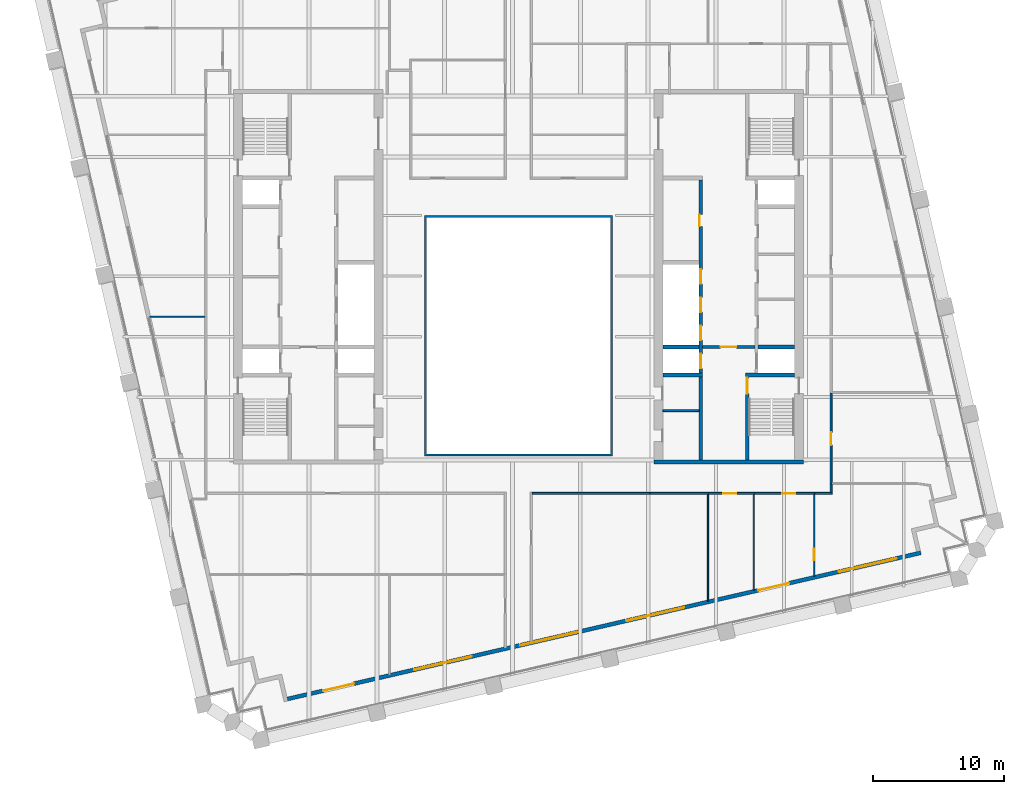
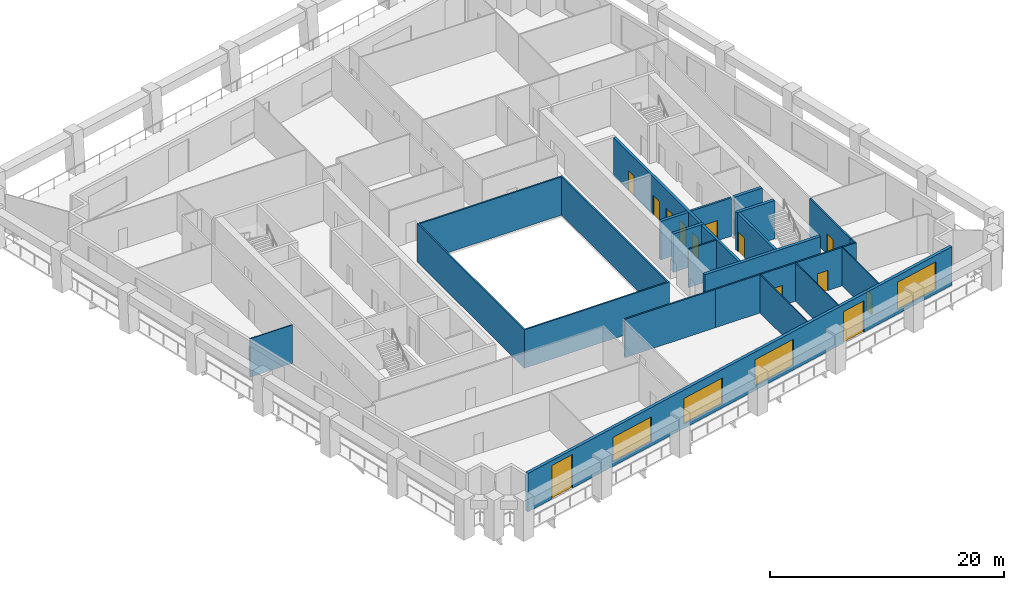
# One storey, part 5 of 11: 22 walls, 13 doors, 4 windows, 17 openings.
"""IFC4 building model written with IfcOpenShell, lengths in metres."""

import ifcopenshell
import ifcopenshell.guid

model = None  # the IFC model being written
_history = None  # IfcOwnerHistory: only IFC2X3 demands one
_inside = {}  # id of a spatial element -> (the spatial element, [elements in it])
_under = {}  # id of a project, library or spatial element -> (it, [spatial elements below it])
_declared = {}  # id of a project -> (the project, [libraries it declares])
_typed = {}  # id of a type object -> (the type object, [elements of that type])
_made_of = {}  # id of a material, layer set ... -> (it, [elements and type objects made of it])


def new_model(schema):
    """Start an empty IFC model of exactly this schema.

    Asked for "IFC4X3", IfcOpenShell would pick the latest addendum, in which some entities
    have other attributes; the version numbers below select the first issue.
    IFC2X3 requires an IfcOwnerHistory on every rooted entity: one is made here for all.
    """
    global model, _history
    if schema == "IFC4X3":
        model = ifcopenshell.file(schema_version=(4, 3, 0, 0))
    else:
        model = ifcopenshell.file(schema=schema)
    _inside.clear()
    _under.clear()
    _declared.clear()
    _typed.clear()
    _made_of.clear()
    _history = None
    if model.schema == "IFC2X3":
        org = make("IfcOrganization", Name="unknown")
        user = make(
            "IfcPersonAndOrganization",
            ThePerson=make("IfcPerson", FamilyName="unknown"),
            TheOrganization=org,
        )
        app = make(
            "IfcApplication",
            ApplicationDeveloper=org,
            Version="unknown",
            ApplicationFullName="unknown",
            ApplicationIdentifier="unknown",
        )
        _history = make(
            "IfcOwnerHistory",
            OwningUser=user,
            OwningApplication=app,
            ChangeAction="ADDED",
            CreationDate=0,
        )
    return model


def make(cls, **values):
    """One entity of the class cls with the attributes given. An attribute that is None is left unset."""
    return model.create_entity(
        cls, **{name: value for name, value in values.items() if value is not None}
    )


def rooted(cls, **values):
    """An entity with a GlobalId (a new one), such as an element, a storey or a relation."""
    return make(cls, GlobalId=ifcopenshell.guid.new(), OwnerHistory=_history, **values)


def si_unit(unit_type, name, prefix=None):
    """IfcSIUnit, for example si_unit("LENGTHUNIT", "METRE", prefix="MILLI")."""
    return make("IfcSIUnit", UnitType=unit_type, Prefix=prefix, Name=name)


def assignment(units):
    """IfcUnitAssignment: the units of a project."""
    return None if units is None else make("IfcUnitAssignment", Units=units)


def point(xyz):
    """IfcCartesianPoint."""
    return None if xyz is None else make("IfcCartesianPoint", Coordinates=xyz)


def direction(xyz):
    """IfcDirection."""
    return None if xyz is None else make("IfcDirection", DirectionRatios=xyz)


def frame(location, z_axis=None, x_axis=None):
    """IfcAxis2Placement3D, a coordinate frame: its origin and axes. An axis left out is left unset."""
    return make(
        "IfcAxis2Placement3D",
        Location=point(location),
        Axis=direction(z_axis),
        RefDirection=direction(x_axis),
    )


def frame_2d(location, x_axis=None):
    """IfcAxis2Placement2D, a coordinate frame in the plane: its origin and x axis."""
    return make(
        "IfcAxis2Placement2D", Location=point(location), RefDirection=direction(x_axis)
    )


def origin():
    """The frame at (0, 0, 0) with its axes left unset."""
    return frame((0.0, 0.0, 0.0))


def place(relative_to, where):
    """IfcLocalPlacement: puts the frame where relative to a parent placement (None: the world)."""
    return make(
        "IfcLocalPlacement", PlacementRelTo=relative_to, RelativePlacement=where
    )


def context(
    kind, dimensions, precision=None, world=None, true_north=None, identifier=None
):
    """IfcGeometricRepresentationContext, for example the 3D "Model" context."""
    return make(
        "IfcGeometricRepresentationContext",
        ContextIdentifier=identifier,
        ContextType=kind,
        CoordinateSpaceDimension=dimensions,
        Precision=precision,
        WorldCoordinateSystem=world,
        TrueNorth=true_north,
    )


def subcontext(parent, identifier, kind, view, scale=None):
    """IfcGeometricRepresentationSubContext, for example "Body" below "Model"."""
    return make(
        "IfcGeometricRepresentationSubContext",
        ContextIdentifier=identifier,
        ContextType=kind,
        ParentContext=parent,
        TargetScale=scale,
        TargetView=view,
    )


def project(units=None, contexts=None):
    """IfcProject with its units and contexts."""
    return rooted(
        "IfcProject",
        Name="project",
        RepresentationContexts=contexts,
        UnitsInContext=assignment(units),
    )


def spatial(cls, under=None, at=None, **own):
    """A site, building, storey or space (cls), placed at a placement, below another one or the project."""
    s = rooted(cls, ObjectPlacement=at, **own)
    if under is not None:
        _under.setdefault(under.id(), (under, []))[1].append(s)
    return s


def polyline(points):
    """IfcPolyline through the points."""
    return make("IfcPolyline", Points=[point(p) for p in points])


def profile(cls, at=None, kind="AREA", **sizes):
    """A parametric profile (cls). Its sizes go by their IFC names, for example OverallWidth=200.0."""
    return make(cls, ProfileType=kind, Position=at, **sizes)


def rectangle(**sizes):
    """IfcRectangleProfileDef."""
    return profile("IfcRectangleProfileDef", **sizes)


def outline(outer, holes=None, kind="AREA"):
    """IfcArbitraryClosedProfileDef: a profile drawn as a closed curve; with holes, ...WithVoids."""
    if holes is None:
        return make("IfcArbitraryClosedProfileDef", ProfileType=kind, OuterCurve=outer)
    return make(
        "IfcArbitraryProfileDefWithVoids",
        ProfileType=kind,
        OuterCurve=outer,
        InnerCurves=holes,
    )


def extrude(swept, where, along, depth):
    """IfcExtrudedAreaSolid: the profile swept, set in the frame where, extruded along a direction by depth."""
    return make(
        "IfcExtrudedAreaSolid",
        SweptArea=swept,
        Position=where,
        ExtrudedDirection=direction(along),
        Depth=depth,
    )


def shape(context_of_items, identifier, shape_type, items):
    """IfcShapeRepresentation: the items that make up one representation, for example the "Body"."""
    return make(
        "IfcShapeRepresentation",
        ContextOfItems=context_of_items,
        RepresentationIdentifier=identifier,
        RepresentationType=shape_type,
        Items=items,
    )


def material(Name=None, Category=None):
    """IfcMaterial."""
    return make("IfcMaterial", Name=Name, Category=Category)


def layer(
    of_material, thickness, ventilated=None, Name=None, Category=None, Priority=None
):
    """IfcMaterialLayer: one layer of a wall or slab, of a material (None: an air gap)."""
    return make(
        "IfcMaterialLayer",
        Material=of_material,
        LayerThickness=thickness,
        IsVentilated=ventilated,
        Name=Name,
        Category=Category,
        Priority=Priority,
    )


def layer_set(layers, Name=None):
    """IfcMaterialLayerSet."""
    return make("IfcMaterialLayerSet", MaterialLayers=layers, LayerSetName=Name)


def made_of(thing, what):
    """Note that an element or type object is made of a material, layer set ...; save() writes the relation."""
    if what is not None:
        _made_of.setdefault(what.id(), (what, []))[1].append(thing)
    return thing


def type_object(cls, material=None, **own):
    """A type object (cls), such as IfcWallType, which elements share."""
    return made_of(rooted(cls, **own), material)


def element(
    cls,
    number,
    at=None,
    inside=None,
    cuts=None,
    type_object=None,
    material=None,
    context=None,
    identifier="Body",
    shape_type=None,
    held_by="IfcProductDefinitionShape",
    body=None,
    shapes=None,
    **own,
):
    """One element of the class cls, such as IfcWall. Its Tag is "e" and its number.

    at: its placement. inside: the storey or other place that contains it. cuts: it is an
    opening in that element (IfcRelVoidsElement). A single representation is given by context,
    identifier, shape_type and body (its items); several are given by shapes. held_by: the class
    of the entity that holds the representations. save() writes the other relations.
    """
    e = rooted(cls, Tag="e%d" % number, ObjectPlacement=at, **own)
    if body is not None:
        shapes = [shape(context, identifier, shape_type, body)]
    if shapes is not None:
        e.Representation = make(held_by, Representations=shapes)
    if inside is not None:
        _inside.setdefault(inside.id(), (inside, []))[1].append(e)
    if cuts is not None:
        rooted(
            "IfcRelVoidsElement", RelatingBuildingElement=cuts, RelatedOpeningElement=e
        )
    if type_object is not None:
        _typed.setdefault(type_object.id(), (type_object, []))[1].append(e)
    return made_of(e, material)


def fill(opening, filler):
    """IfcRelFillsElement: the door or window that sits in an opening."""
    return rooted(
        "IfcRelFillsElement",
        RelatingOpeningElement=opening,
        RelatedBuildingElement=filler,
    )


def aggregate(whole, parts):
    """IfcRelAggregates: a whole, such as a stair, and the parts it consists of."""
    return rooted("IfcRelAggregates", RelatingObject=whole, RelatedObjects=parts)


def save(model, path):
    """Write the relations noted so far, then the file.

    IfcRelAggregates (storeys below a building ...), IfcRelContainedInSpatialStructure (elements
    in a storey), IfcRelDefinesByType, IfcRelAssociatesMaterial and IfcRelDeclares: one each for
    every whole, place, type object, material and project.
    """
    for whole, parts in _under.values():
        aggregate(whole, parts)
    for where, things in _inside.values():
        rooted(
            "IfcRelContainedInSpatialStructure",
            RelatedElements=things,
            RelatingStructure=where,
        )
    for kind, things in _typed.values():
        rooted("IfcRelDefinesByType", RelatedObjects=things, RelatingType=kind)
    for what, things in _made_of.values():
        rooted("IfcRelAssociatesMaterial", RelatedObjects=things, RelatingMaterial=what)
    for by, libraries in _declared.values():
        rooted("IfcRelDeclares", RelatingContext=by, RelatedDefinitions=libraries)
    model.write(path)


model = new_model("IFC4")

# Units and contexts
model_context = context("Model", 3, precision=1e-05, world=origin(), true_north=direction((0.0, 1.0)))
body_context = subcontext(model_context, "Body", "Model", "MODEL_VIEW")
ifc_project = project(units=[si_unit("LENGTHUNIT", "METRE"), si_unit("AREAUNIT", "SQUARE_METRE"), si_unit("VOLUMEUNIT", "CUBIC_METRE"), si_unit("PLANEANGLEUNIT", "RADIAN"), si_unit("MASSUNIT", "GRAM", prefix="KILO")], contexts=[model_context])

# Site, building, storey
site_placement = place(None, origin())
site = spatial("IfcSite", under=ifc_project, at=site_placement, CompositionType="ELEMENT")
building_placement = place(site_placement, origin())
building = spatial("IfcBuilding", under=site, at=building_placement, Name="Ogive Exchange Tower", CompositionType="ELEMENT")
storey_placement = place(building_placement, frame((0.0, 0.0, 213.60009765625)))
storey = spatial("IfcBuildingStorey", under=building, at=storey_placement, Name="L47", CompositionType="ELEMENT", Elevation=213.60009765625)

# Walls
ifc_material_1 = material(Name="Gypsum board partition")
ifc_layer_1 = layer(ifc_material_1, 0.14990234375)
ifc_layer_set_1 = layer_set([ifc_layer_1], Name="Core room partition 150 gypsum")
wall_type_1 = type_object("IfcWallType", Name="Core room partition 150 gypsum", PredefinedType="PARTITIONING", material=ifc_layer_set_1)
wall_1_placement = place(storey_placement, frame((11.0, 1.300048828125, 0.0), z_axis=(0.0, 0.0, 1.0), x_axis=(1.0, 0.0, 0.0)))
element("IfcWall", 1, at=wall_1_placement, inside=storey, type_object=wall_type_1, Name="E south room partition", PredefinedType="PARTITIONING", context=body_context, shape_type="SweptSolid", body=[
    extrude(rectangle(XDim=2.75, YDim=0.14990234375, at=frame_2d((1.375, 0.0))), origin(), (0.0, 0.0, 1.0), 4.0),
])
ifc_material_2 = material(Name="Fire partition EI 60 150")
ifc_layer_2 = layer(ifc_material_2, 0.14990234375)
ifc_layer_set_2 = layer_set([ifc_layer_2], Name="Fire partition EI 60 150")
wall_type_2 = type_object("IfcWallType", Name="Fire partition EI 60 150", PredefinedType="PARTITIONING", material=ifc_layer_set_2)
wall_2_placement = place(storey_placement, frame((10.0, -5.0, 0.0), z_axis=(0.0, 0.0, 1.0), x_axis=(-1.0, 0.0, 0.0)))
element("IfcWall", 2, at=wall_2_placement, inside=storey, type_object=wall_type_2, Name="L47-PWL-046", PredefinedType="PARTITIONING", context=body_context, shape_type="SweptSolid", body=[
    extrude(rectangle(XDim=8.93505859375, YDim=0.14990234375, at=frame_2d((4.467529296875, 0.0))), origin(), (0.0, 0.0, 1.0), 4.0),
])
wall_3_placement = place(storey_placement, frame((14.47998046875, -5.0, 0.0), z_axis=(0.0, 0.0, 1.0), x_axis=(-1.0, 0.0, 0.0)))
element("IfcWall", 3, at=wall_3_placement, inside=storey, type_object=wall_type_2, Name="L47-PWL-049", PredefinedType="PARTITIONING", context=body_context, shape_type="SweptSolid", body=[
    extrude(rectangle(XDim=4.47998046875, YDim=0.14990234375, at=frame_2d((2.239990234375, 0.0))), origin(), (0.0, 0.0, 1.0), 4.0),
])

# Wall, opening, door
wall_4_placement = place(storey_placement, frame((17.969970703125, -5.0, 0.0), z_axis=(0.0, 0.0, 1.0), x_axis=(-1.0, 0.0, 0.0)))
wall_4 = element("IfcWall", 4, at=wall_4_placement, inside=storey, type_object=wall_type_2, Name="L47-PWL-057", PredefinedType="PARTITIONING", context=body_context, shape_type="SweptSolid", body=[
    extrude(rectangle(XDim=3.489990234375, YDim=0.14990234375, at=frame_2d((1.7451171875, 0.0))), origin(), (0.0, 0.0, 1.0), 4.0),
])
opening_1_placement = place(wall_4_placement, frame((1.389892578125, 0.0, 0.0)))
opening_1 = element("IfcOpeningElement", 5, at=opening_1_placement, cuts=wall_4, Name="Opening L47-I14", PredefinedType="OPENING", context=body_context, shape_type="SweptSolid", body=[
    extrude(rectangle(XDim=1.0, YDim=2.10009765625, at=frame_2d((0.5, 1.050048828125))), frame((0.0, 0.0849609375, 0.0), z_axis=(0.0, -1.0, 0.0), x_axis=(1.0, 0.0, 0.0)), (0.0, 0.0, 1.0), 0.169921875),
])
ifc_material_3 = material(Name="Fire door FD 30S 1000 x 2100")
door_type_1 = type_object("IfcDoorType", Name="Fire door FD 30S 1000 x 2100", OperationType="NOTDEFINED", PredefinedType="DOOR", material=ifc_material_3)
door_1_placement = place(opening_1_placement, origin())
door_1 = element("IfcDoor", 6, at=door_1_placement, inside=storey, type_object=door_type_1, Name="L47-IDR-014", ObjectType="DT3", OperationType="SINGLE_SWING_LEFT", OverallHeight=2.10009765625, OverallWidth=1.0, PredefinedType="DOOR", context=body_context, shape_type="SweptSolid", body=[
    extrude(rectangle(XDim=1.0, YDim=2.10009765625, at=frame_2d((0.5, 1.050048828125))), frame((0.0, 0.02490234375, 0.0), z_axis=(0.0, -1.0, 0.0), x_axis=(1.0, 0.0, 0.0)), (0.0, 0.0, 1.0), 0.050048828125),
])
fill(opening_1, door_1)

wall_5_placement = place(storey_placement, frame((22.570068359375, -5.0, 0.0), z_axis=(0.0, 0.0, 1.0), x_axis=(-1.0, 0.0, 0.0)))
wall_5 = element("IfcWall", 7, at=wall_5_placement, inside=storey, type_object=wall_type_2, Name="L47-PWL-062", PredefinedType="PARTITIONING", context=body_context, shape_type="SweptSolid", body=[
    extrude(rectangle(XDim=4.650146484375, YDim=0.14990234375, at=frame_2d((2.3251953125, 0.0))), origin(), (0.0, 0.0, 1.0), 4.0),
])
opening_2_placement = place(wall_5_placement, frame((1.5, 0.0, 0.0)))
opening_2 = element("IfcOpeningElement", 8, at=opening_2_placement, cuts=wall_5, Name="Opening L47-I15", PredefinedType="OPENING", context=body_context, shape_type="SweptSolid", body=[
    extrude(rectangle(XDim=1.0, YDim=2.10009765625, at=frame_2d((0.5, 1.050048828125))), frame((0.0, 0.0849609375, 0.0), z_axis=(0.0, -1.0, 0.0), x_axis=(1.0, 0.0, 0.0)), (0.0, 0.0, 1.0), 0.169921875),
])
door_2_placement = place(opening_2_placement, origin())
door_2 = element("IfcDoor", 9, at=door_2_placement, inside=storey, type_object=door_type_1, Name="L47-IDR-015", ObjectType="DT3", OperationType="SINGLE_SWING_RIGHT", OverallHeight=2.10009765625, OverallWidth=1.0, PredefinedType="DOOR", context=body_context, shape_type="SweptSolid", body=[
    extrude(rectangle(XDim=1.0, YDim=2.10009765625, at=frame_2d((0.5, 1.050048828125))), frame((0.0, 0.02490234375, 0.0), z_axis=(0.0, -1.0, 0.0), x_axis=(1.0, 0.0, 0.0)), (0.0, 0.0, 1.0), 0.050048828125),
])
fill(opening_2, door_2)

# Walls
wall_6_placement = place(storey_placement, frame((23.875, -5.0, 0.0), z_axis=(0.0, 0.0, 1.0), x_axis=(-1.0, 0.0, 0.0)))
element("IfcWall", 10, at=wall_6_placement, inside=storey, type_object=wall_type_2, Name="L47-PWL-066", PredefinedType="PARTITIONING", context=body_context, shape_type="SweptSolid", body=[
    extrude(rectangle(XDim=1.304931640625, YDim=0.14990234375, at=frame_2d((0.65234375, 0.0))), origin(), (0.0, 0.0, 1.0), 4.0),
])
wall_7_placement = place(storey_placement, frame((23.800048828125, -4.2900390625, 0.0), z_axis=(0.0, 0.0, 1.0), x_axis=(0.0, -1.0, 0.0)))
element("IfcWall", 11, at=wall_7_placement, inside=storey, type_object=wall_type_2, Name="L47-PWL-067", PredefinedType="PARTITIONING", context=body_context, shape_type="SweptSolid", body=[
    extrude(rectangle(XDim=0.635009765625, YDim=0.14990234375, at=frame_2d((0.3173828125, 0.0))), origin(), (0.0, 0.0, 1.0), 4.0),
])

# Wall, opening, door
wall_8_placement = place(storey_placement, frame((23.800048828125, 2.639892578125, 0.0), z_axis=(0.0, 0.0, 1.0), x_axis=(0.0, -1.0, 0.0)))
wall_8 = element("IfcWall", 12, at=wall_8_placement, inside=storey, type_object=wall_type_2, Name="L47-PWL-068", PredefinedType="PARTITIONING", context=body_context, shape_type="SweptSolid", body=[
    extrude(rectangle(XDim=6.929931640625, YDim=0.14990234375, at=frame_2d((3.46484375, 0.0))), origin(), (0.0, 0.0, 1.0), 4.0),
])
opening_3_placement = place(wall_8_placement, frame((2.97998046875, 0.0, 0.0)))
opening_3 = element("IfcOpeningElement", 13, at=opening_3_placement, cuts=wall_8, Name="Opening L47-I17", PredefinedType="OPENING", context=body_context, shape_type="SweptSolid", body=[
    extrude(rectangle(XDim=1.0, YDim=2.10009765625, at=frame_2d((0.5, 1.050048828125))), frame((0.0, 0.0849609375, 0.0), z_axis=(0.0, -1.0, 0.0), x_axis=(1.0, 0.0, 0.0)), (0.0, 0.0, 1.0), 0.169921875),
])
door_3_placement = place(opening_3_placement, origin())
door_3 = element("IfcDoor", 14, at=door_3_placement, inside=storey, type_object=door_type_1, Name="L47-IDR-017", ObjectType="DT3", OperationType="SINGLE_SWING_LEFT", OverallHeight=2.10009765625, OverallWidth=1.0, PredefinedType="DOOR", context=body_context, shape_type="SweptSolid", body=[
    extrude(rectangle(XDim=1.0, YDim=2.10009765625, at=frame_2d((0.5, 1.050048828125))), frame((0.0, 0.02490234375, 0.0), z_axis=(0.0, -1.0, 0.0), x_axis=(1.0, 0.0, 0.0)), (0.0, 0.0, 1.0), 0.050048828125),
])
fill(opening_3, door_3)

# Wall
ifc_material_4 = material(Name="Fire-resisting glass in steel frame", Category="steel")
ifc_layer_3 = layer(ifc_material_4, 0.14990234375)
ifc_layer_set_3 = layer_set([ifc_layer_3], Name="Fire-rated glazed wall 150")
wall_type_3 = type_object("IfcWallType", Name="Fire-rated glazed wall 150", PredefinedType="STANDARD", material=ifc_layer_set_3)
wall_9_placement = place(storey_placement, origin())
element("IfcWall", 15, at=wall_9_placement, inside=storey, type_object=wall_type_3, Name="Nave enclosure wall", PredefinedType="STANDARD", context=body_context, shape_type="SweptSolid", body=[
    extrude(outline(polyline([(-7.14990234375, -2.14990234375), (7.14990234375, -2.14990234375), (7.14990234375, 16.14990234375), (-7.14990234375, 16.14990234375), (-7.14990234375, -2.14990234375)]), holes=[polyline([(-7.0, -2.0), (-7.0, 16.0), (7.0, 16.0), (7.0, -2.0), (-7.0, -2.0)])]), origin(), (0.0, 0.0, 1.0), 4.0),
])

# Wall, openings, doors, windows
ifc_material_5 = material(Name="Precast concrete C40/50", Category="concrete")
ifc_layer_4 = layer(ifc_material_5, 0.300048828125)
ifc_layer_set_4 = layer_set([ifc_layer_4], Name="Limestone-faced wall 300")
wall_type_4 = type_object("IfcWallType", Name="Limestone-faced wall 300", PredefinedType="STANDARD", material=ifc_layer_set_4)
wall_10_placement = place(storey_placement, frame((-17.592041015625, -20.6572265625, 0.0), z_axis=(0.0, 0.0, 1.0), x_axis=(0.974370243697, 0.224950279389, 0.0)))
wall_10 = element("IfcWall", 16, at=wall_10_placement, inside=storey, type_object=wall_type_4, Name="External wall S1", PredefinedType="STANDARD", context=body_context, shape_type="SweptSolid", body=[
    extrude(rectangle(XDim=49.499755859375, YDim=0.300048828125, at=frame_2d((24.75, 0.0))), origin(), (0.0, 0.0, 1.0), 4.0),
])
opening_4_placement = place(wall_10_placement, frame((2.800048828125, 0.0, 0.0)))
opening_4 = element("IfcOpeningElement", 17, at=opening_4_placement, cuts=wall_10, Name="Opening D1", PredefinedType="OPENING", context=body_context, shape_type="SweptSolid", body=[
    extrude(rectangle(XDim=2.39990234375, YDim=3.5, at=frame_2d((1.199951171875, 1.75))), frame((0.0, 0.159912109375, 0.0), z_axis=(0.0, -1.0, 0.0), x_axis=(1.0, 0.0, 0.0)), (0.0, 0.0, 1.0), 0.320068359375),
])
opening_5_placement = place(wall_10_placement, frame((9.89990234375, 0.0, 0.449951171875)))
opening_5 = element("IfcOpeningElement", 18, at=opening_5_placement, cuts=wall_10, Name="Opening W1M", PredefinedType="OPENING", context=body_context, shape_type="SweptSolid", body=[
    extrude(rectangle(XDim=4.5, YDim=2.574951171875, at=frame_2d((2.25, 1.28759765625))), frame((0.0, 0.159912109375, 0.0), z_axis=(0.0, -1.0, 0.0), x_axis=(1.0, 0.0, 0.0)), (0.0, 0.0, 1.0), 0.320068359375),
])
opening_6_placement = place(wall_10_placement, frame((18.199951171875, 0.0, 0.449951171875)))
opening_6 = element("IfcOpeningElement", 19, at=opening_6_placement, cuts=wall_10, Name="Opening W1J", PredefinedType="OPENING", context=body_context, shape_type="SweptSolid", body=[
    extrude(rectangle(XDim=4.5, YDim=2.675048828125, at=frame_2d((2.25, 1.33740234375))), frame((0.0, 0.159912109375, 0.0), z_axis=(0.0, -1.0, 0.0), x_axis=(1.0, 0.0, 0.0)), (0.0, 0.0, 1.0), 0.320068359375),
])
opening_7_placement = place(wall_10_placement, frame((26.5, 0.0, 0.449951171875)))
opening_7 = element("IfcOpeningElement", 20, at=opening_7_placement, cuts=wall_10, Name="Opening W1H", PredefinedType="OPENING", context=body_context, shape_type="SweptSolid", body=[
    extrude(rectangle(XDim=4.5, YDim=2.75, at=frame_2d((2.25, 1.375))), frame((0.0, 0.159912109375, 0.0), z_axis=(0.0, -1.0, 0.0), x_axis=(1.0, 0.0, 0.0)), (0.0, 0.0, 1.0), 0.320068359375),
])
opening_8_placement = place(wall_10_placement, frame((36.800048828125, 0.0, 0.0)))
opening_8 = element("IfcOpeningElement", 21, at=opening_8_placement, cuts=wall_10, Name="Opening D1E", PredefinedType="OPENING", context=body_context, shape_type="SweptSolid", body=[
    extrude(rectangle(XDim=2.39990234375, YDim=3.27490234375, at=frame_2d((1.199951171875, 1.637451171875))), frame((0.0, 0.159912109375, 0.0), z_axis=(0.0, -1.0, 0.0), x_axis=(1.0, 0.0, 0.0)), (0.0, 0.0, 1.0), 0.320068359375),
])
opening_9_placement = place(wall_10_placement, frame((43.10009765625, 0.0, 0.449951171875)))
opening_9 = element("IfcOpeningElement", 22, at=opening_9_placement, cuts=wall_10, Name="Opening W1D", PredefinedType="OPENING", context=body_context, shape_type="SweptSolid", body=[
    extrude(rectangle(XDim=4.5, YDim=2.875, at=frame_2d((2.25, 1.4375))), frame((0.0, 0.159912109375, 0.0), z_axis=(0.0, -1.0, 0.0), x_axis=(1.0, 0.0, 0.0)), (0.0, 0.0, 1.0), 0.320068359375),
])
ifc_material_6 = material(Name="Clear glass in bronze frame", Category="glass")
door_type_2 = type_object("IfcDoorType", Name="Sliding loggia door 2400 x 3275", OperationType="DOUBLE_DOOR_SLIDING", PredefinedType="DOOR", material=ifc_material_6)
door_4_placement = place(opening_8_placement, origin())
door_4 = element("IfcDoor", 23, at=door_4_placement, inside=storey, type_object=door_type_2, Name="Loggia door S04", OperationType="DOUBLE_DOOR_SLIDING", OverallHeight=3.27490234375, OverallWidth=2.39990234375, PredefinedType="DOOR", context=body_context, shape_type="SweptSolid", body=[
    extrude(rectangle(XDim=2.39990234375, YDim=3.27490234375, at=frame_2d((1.199951171875, 1.637451171875))), frame((0.0, 0.02490234375, 0.0), z_axis=(0.0, -1.0, 0.0), x_axis=(1.0, 0.0, 0.0)), (0.0, 0.0, 1.0), 0.050048828125),
])
fill(opening_8, door_4)
door_type_3 = type_object("IfcDoorType", Name="Sliding loggia door 2400 x 3500", OperationType="DOUBLE_DOOR_SLIDING", PredefinedType="DOOR", material=ifc_material_6)
door_5_placement = place(opening_4_placement, origin())
door_5 = element("IfcDoor", 24, at=door_5_placement, inside=storey, type_object=door_type_3, Name="Loggia door S00", OperationType="DOUBLE_DOOR_SLIDING", OverallHeight=3.5, OverallWidth=2.39990234375, PredefinedType="DOOR", context=body_context, shape_type="SweptSolid", body=[
    extrude(rectangle(XDim=2.39990234375, YDim=3.5, at=frame_2d((1.199951171875, 1.75))), frame((0.0, 0.02490234375, 0.0), z_axis=(0.0, -1.0, 0.0), x_axis=(1.0, 0.0, 0.0)), (0.0, 0.0, 1.0), 0.050048828125),
])
fill(opening_4, door_5)
window_type_1 = type_object("IfcWindowType", Name="Twin lancet window 4500 x 2575", PartitioningType="DOUBLE_PANEL_VERTICAL", PredefinedType="WINDOW", material=ifc_material_6)
window_1_placement = place(opening_5_placement, origin())
window_1 = element("IfcWindow", 25, at=window_1_placement, inside=storey, type_object=window_type_1, Name="Window S01", OverallHeight=2.574951171875, OverallWidth=4.5, PartitioningType="DOUBLE_PANEL_VERTICAL", PredefinedType="WINDOW", context=body_context, shape_type="SweptSolid", body=[
    extrude(rectangle(XDim=4.5, YDim=2.574951171875, at=frame_2d((2.25, 1.28759765625))), frame((0.0, 0.030029296875, 0.0), z_axis=(0.0, -1.0, 0.0), x_axis=(1.0, 0.0, 0.0)), (0.0, 0.0, 1.0), 0.06005859375),
])
fill(opening_5, window_1)
window_type_2 = type_object("IfcWindowType", Name="Twin lancet window 4500 x 2675", PartitioningType="DOUBLE_PANEL_VERTICAL", PredefinedType="WINDOW", material=ifc_material_6)
window_2_placement = place(opening_6_placement, origin())
window_2 = element("IfcWindow", 26, at=window_2_placement, inside=storey, type_object=window_type_2, Name="Window S02", OverallHeight=2.675048828125, OverallWidth=4.5, PartitioningType="DOUBLE_PANEL_VERTICAL", PredefinedType="WINDOW", context=body_context, shape_type="SweptSolid", body=[
    extrude(rectangle(XDim=4.5, YDim=2.675048828125, at=frame_2d((2.25, 1.33740234375))), frame((0.0, 0.030029296875, 0.0), z_axis=(0.0, -1.0, 0.0), x_axis=(1.0, 0.0, 0.0)), (0.0, 0.0, 1.0), 0.06005859375),
])
fill(opening_6, window_2)
window_type_3 = type_object("IfcWindowType", Name="Twin lancet window 4500 x 2750", PartitioningType="DOUBLE_PANEL_VERTICAL", PredefinedType="WINDOW", material=ifc_material_6)
window_3_placement = place(opening_7_placement, origin())
window_3 = element("IfcWindow", 27, at=window_3_placement, inside=storey, type_object=window_type_3, Name="Window S03", OverallHeight=2.75, OverallWidth=4.5, PartitioningType="DOUBLE_PANEL_VERTICAL", PredefinedType="WINDOW", context=body_context, shape_type="SweptSolid", body=[
    extrude(rectangle(XDim=4.5, YDim=2.75, at=frame_2d((2.25, 1.375))), frame((0.0, 0.030029296875, 0.0), z_axis=(0.0, -1.0, 0.0), x_axis=(1.0, 0.0, 0.0)), (0.0, 0.0, 1.0), 0.06005859375),
])
fill(opening_7, window_3)
window_type_4 = type_object("IfcWindowType", Name="Twin lancet window 4500 x 2875", PartitioningType="DOUBLE_PANEL_VERTICAL", PredefinedType="WINDOW", material=ifc_material_6)
window_4_placement = place(opening_9_placement, origin())
window_4 = element("IfcWindow", 28, at=window_4_placement, inside=storey, type_object=window_type_4, Name="Window S05", OverallHeight=2.875, OverallWidth=4.5, PartitioningType="DOUBLE_PANEL_VERTICAL", PredefinedType="WINDOW", context=body_context, shape_type="SweptSolid", body=[
    extrude(rectangle(XDim=4.5, YDim=2.875, at=frame_2d((2.25, 1.4375))), frame((0.0, 0.030029296875, 0.0), z_axis=(0.0, -1.0, 0.0), x_axis=(1.0, 0.0, 0.0)), (0.0, 0.0, 1.0), 0.06005859375),
])
fill(opening_9, window_4)

# Walls
ifc_material_7 = material(Name="Partition 100 gypsum")
ifc_layer_5 = layer(ifc_material_7, 0.10009765625)
ifc_layer_set_5 = layer_set([ifc_layer_5], Name="Partition 100 gypsum")
wall_type_5 = type_object("IfcWallType", Name="Partition 100 gypsum", PredefinedType="PARTITIONING", material=ifc_layer_set_5)
wall_11_placement = place(storey_placement, frame((-23.875, 8.449951171875, 0.0), z_axis=(0.0, 0.0, 1.0), x_axis=(-1.0, 0.0, 0.0)))
element("IfcWall", 29, at=wall_11_placement, inside=storey, type_object=wall_type_5, Name="L47-PWL-003", PredefinedType="PARTITIONING", context=body_context, shape_type="SweptSolid", body=[
    extrude(rectangle(XDim=4.214111328125, YDim=0.10009765625, at=frame_2d((2.10693359375, 0.0))), origin(), (0.0, 0.0, 1.0), 4.0),
])
wall_12_placement = place(storey_placement, frame((14.429931640625, -5.074951171875, 0.0), z_axis=(0.0, 0.0, 1.0), x_axis=(0.0, -1.0, 0.0)))
element("IfcWall", 30, at=wall_12_placement, inside=storey, type_object=wall_type_5, Name="L47-PWL-050", PredefinedType="PARTITIONING", context=body_context, shape_type="SweptSolid", body=[
    extrude(rectangle(XDim=8.1181640625, YDim=0.10009765625, at=frame_2d((4.05908203125, 0.0))), origin(), (0.0, 0.0, 1.0), 4.0),
])
wall_13_placement = place(storey_placement, frame((17.919921875, -5.074951171875, 0.0), z_axis=(0.0, 0.0, 1.0), x_axis=(0.0, -1.0, 0.0)))
element("IfcWall", 31, at=wall_13_placement, inside=storey, type_object=wall_type_5, Name="L47-PWL-058", PredefinedType="PARTITIONING", context=body_context, shape_type="SweptSolid", body=[
    extrude(rectangle(XDim=7.31201171875, YDim=0.10009765625, at=frame_2d((3.656005859375, 0.0))), origin(), (0.0, 0.0, 1.0), 4.0),
])

# Wall, opening, door
wall_14_placement = place(storey_placement, frame((22.52001953125, -5.074951171875, 0.0), z_axis=(0.0, 0.0, 1.0), x_axis=(0.0, -1.0, 0.0)))
wall_14 = element("IfcWall", 32, at=wall_14_placement, inside=storey, type_object=wall_type_5, Name="L47-PWL-063", PredefinedType="PARTITIONING", context=body_context, shape_type="SweptSolid", body=[
    extrude(rectangle(XDim=6.25, YDim=0.10009765625, at=frame_2d((3.125, 0.0))), origin(), (0.0, 0.0, 1.0), 4.0),
])
opening_10_placement = place(wall_14_placement, frame((4.125, 0.0, 0.0)))
opening_10 = element("IfcOpeningElement", 33, at=opening_10_placement, cuts=wall_14, Name="Opening L47-I18", PredefinedType="OPENING", context=body_context, shape_type="SweptSolid", body=[
    extrude(rectangle(XDim=0.89990234375, YDim=2.10009765625, at=frame_2d((0.449951171875, 1.050048828125))), frame((0.0, 0.06005859375, 0.0), z_axis=(0.0, -1.0, 0.0), x_axis=(1.0, 0.0, 0.0)), (0.0, 0.0, 1.0), 0.1201171875),
])
ifc_material_8 = material(Name="Door 900 x 2100")
door_type_4 = type_object("IfcDoorType", Name="Door 900 x 2100", OperationType="NOTDEFINED", PredefinedType="DOOR", material=ifc_material_8)
door_6_placement = place(opening_10_placement, frame((0.89990234375, 0.0, 0.0), z_axis=(0.0, 0.0, 1.0), x_axis=(-1.0, 0.0, 0.0)))
door_6 = element("IfcDoor", 34, at=door_6_placement, inside=storey, type_object=door_type_4, Name="L47-IDR-018", ObjectType="DT1", OperationType="SINGLE_SWING_RIGHT", OverallHeight=2.10009765625, OverallWidth=0.89990234375, PredefinedType="DOOR", context=body_context, shape_type="SweptSolid", body=[
    extrude(rectangle(XDim=0.89990234375, YDim=2.10009765625, at=frame_2d((0.449951171875, 1.050048828125))), frame((0.0, 0.02490234375, 0.0), z_axis=(0.0, -1.0, 0.0), x_axis=(1.0, 0.0, 0.0)), (0.0, 0.0, 1.0), 0.050048828125),
])
fill(opening_10, door_6)

ifc_material_9 = material(Name="Concrete C70/85", Category="concrete")
ifc_layer_6 = layer(ifc_material_9, 0.199951171875)
ifc_layer_set_6 = layer_set([ifc_layer_6], Name="RC core wall 200 C70/85")
wall_type_6 = type_object("IfcWallType", Name="RC core wall 200 C70/85", PredefinedType="SHEAR", material=ifc_layer_set_6)
wall_15_placement = place(storey_placement, frame((14.0, 6.142822265625, 0.0), z_axis=(0.0, 0.0, 1.0), x_axis=(1.0, 0.0, 0.0)))
wall_15 = element("IfcWall", 35, at=wall_15_placement, inside=storey, type_object=wall_type_6, Name="E firefighting lobby wall", PredefinedType="SHEAR", context=body_context, shape_type="SweptSolid", body=[
    extrude(rectangle(XDim=4.0, YDim=0.199951171875, at=frame_2d((2.0, 0.0))), origin(), (0.0, 0.0, 1.0), 4.0),
])
opening_11_placement = place(wall_15_placement, frame((1.39990234375, 0.0, 0.0)))
opening_11 = element("IfcOpeningElement", 36, at=opening_11_placement, cuts=wall_15, Name="Opening L47-C28", PredefinedType="OPENING", context=body_context, shape_type="SweptSolid", body=[
    extrude(rectangle(XDim=1.199951171875, YDim=2.10009765625, at=frame_2d((0.60009765625, 1.050048828125))), frame((0.0, 0.10986328125, 0.0), z_axis=(0.0, -1.0, 0.0), x_axis=(1.0, 0.0, 0.0)), (0.0, 0.0, 1.0), 0.219970703125),
])
ifc_material_10 = material(Name="Steel fire door", Category="steel")
door_type_5 = type_object("IfcDoorType", Name="Firefighting lobby door FD60 1200 x 2100", OperationType="NOTDEFINED", PredefinedType="DOOR", material=ifc_material_10)
door_7_placement = place(opening_11_placement, frame((1.199951171875, 0.0, 0.0), z_axis=(0.0, 0.0, 1.0), x_axis=(-1.0, 0.0, 0.0)))
door_7 = element("IfcDoor", 37, at=door_7_placement, inside=storey, type_object=door_type_5, Name="Firefighting lobby door", ObjectType="CD3", OperationType="SINGLE_SWING_RIGHT", OverallHeight=2.10009765625, OverallWidth=1.199951171875, PredefinedType="DOOR", context=body_context, shape_type="SweptSolid", body=[
    extrude(rectangle(XDim=1.199951171875, YDim=2.10009765625, at=frame_2d((0.60009765625, 1.050048828125))), frame((0.0, 0.02490234375, 0.0), z_axis=(0.0, -1.0, 0.0), x_axis=(1.0, 0.0, 0.0)), (0.0, 0.0, 1.0), 0.050048828125),
])
fill(opening_11, door_7)

ifc_layer_7 = layer(ifc_material_9, 0.25)
ifc_layer_set_7 = layer_set([ifc_layer_7], Name="RC core wall 250 C70/85")
wall_type_7 = type_object("IfcWallType", Name="RC core wall 250 C70/85", PredefinedType="SHEAR", material=ifc_layer_set_7)
wall_16_placement = place(storey_placement, frame((17.425048828125, -2.449951171875, 0.0), z_axis=(0.0, 0.0, 1.0), x_axis=(0.0, 1.0, 0.0)))
wall_16 = element("IfcWall", 38, at=wall_16_placement, inside=storey, type_object=wall_type_7, Name="E stair S front wall", PredefinedType="SHEAR", context=body_context, shape_type="SweptSolid", body=[
    extrude(rectangle(XDim=6.300048828125, YDim=0.25, at=frame_2d((3.14990234375, 0.0))), origin(), (0.0, 0.0, 1.0), 4.0),
])
opening_12_placement = place(wall_16_placement, frame((5.050048828125, 0.0, 0.0)))
opening_12 = element("IfcOpeningElement", 39, at=opening_12_placement, cuts=wall_16, Name="Opening L47-C30", PredefinedType="OPENING", context=body_context, shape_type="SweptSolid", body=[
    extrude(rectangle(XDim=1.199951171875, YDim=2.10009765625, at=frame_2d((0.60009765625, 1.050048828125))), frame((0.0, 0.135009765625, 0.0), z_axis=(0.0, -1.0, 0.0), x_axis=(1.0, 0.0, 0.0)), (0.0, 0.0, 1.0), 0.27001953125),
])
door_type_6 = type_object("IfcDoorType", Name="Stair door FD90 1200 x 2100", OperationType="NOTDEFINED", PredefinedType="DOOR", material=ifc_material_10)
door_8_placement = place(opening_12_placement, frame((1.199951171875, 0.0, 0.0), z_axis=(0.0, 0.0, 1.0), x_axis=(-1.0, 0.0, 0.0)))
door_8 = element("IfcDoor", 40, at=door_8_placement, inside=storey, type_object=door_type_6, Name="Stair door", ObjectType="CD5", OperationType="SINGLE_SWING_RIGHT", OverallHeight=2.10009765625, OverallWidth=1.199951171875, PredefinedType="DOOR", context=body_context, shape_type="SweptSolid", body=[
    extrude(rectangle(XDim=1.199951171875, YDim=2.10009765625, at=frame_2d((0.60009765625, 1.050048828125))), frame((0.0, 0.02490234375, 0.0), z_axis=(0.0, -1.0, 0.0), x_axis=(1.0, 0.0, 0.0)), (0.0, 0.0, 1.0), 0.050048828125),
])
fill(opening_12, door_8)

# Wall, openings, doors
wall_17_placement = place(storey_placement, frame((13.875, -2.449951171875, 0.0), z_axis=(0.0, 0.0, 1.0), x_axis=(0.0, 1.0, 0.0)))
wall_17 = element("IfcWall", 41, at=wall_17_placement, inside=storey, type_object=wall_type_7, Name="E row B front wall", PredefinedType="SHEAR", context=body_context, shape_type="SweptSolid", body=[
    extrude(rectangle(XDim=21.300048828125, YDim=0.25, at=frame_2d((10.64990234375, 0.0))), origin(), (0.0, 0.0, 1.0), 4.0),
])
opening_13_placement = place(wall_17_placement, frame((17.78564453125, 0.0, 0.0)))
opening_13 = element("IfcOpeningElement", 42, at=opening_13_placement, cuts=wall_17, Name="Opening L47-C23", PredefinedType="OPENING", context=body_context, shape_type="SweptSolid", body=[
    extrude(rectangle(XDim=0.89990234375, YDim=2.10009765625, at=frame_2d((0.449951171875, 1.050048828125))), frame((0.0, 0.135009765625, 0.0), z_axis=(0.0, -1.0, 0.0), x_axis=(1.0, 0.0, 0.0)), (0.0, 0.0, 1.0), 0.27001953125),
])
opening_14_placement = place(wall_17_placement, frame((6.971435546875, 0.0, 0.0)))
opening_14 = element("IfcOpeningElement", 43, at=opening_14_placement, cuts=wall_17, Name="Opening L47-C24", PredefinedType="OPENING", context=body_context, shape_type="SweptSolid", body=[
    extrude(rectangle(XDim=1.10009765625, YDim=2.10009765625, at=frame_2d((0.550048828125, 1.050048828125))), frame((0.0, 0.135009765625, 0.0), z_axis=(0.0, -1.0, 0.0), x_axis=(1.0, 0.0, 0.0)), (0.0, 0.0, 1.0), 0.27001953125),
])
opening_15_placement = place(wall_17_placement, frame((9.1142578125, 0.0, 0.0)))
opening_15 = element("IfcOpeningElement", 44, at=opening_15_placement, cuts=wall_17, Name="Opening L47-C25", PredefinedType="OPENING", context=body_context, shape_type="SweptSolid", body=[
    extrude(rectangle(XDim=1.10009765625, YDim=2.10009765625, at=frame_2d((0.550048828125, 1.050048828125))), frame((0.0, 0.135009765625, 0.0), z_axis=(0.0, -1.0, 0.0), x_axis=(1.0, 0.0, 0.0)), (0.0, 0.0, 1.0), 0.27001953125),
])
opening_16_placement = place(wall_17_placement, frame((11.257080078125, 0.0, 0.0)))
opening_16 = element("IfcOpeningElement", 45, at=opening_16_placement, cuts=wall_17, Name="Opening L47-C26", PredefinedType="OPENING", context=body_context, shape_type="SweptSolid", body=[
    extrude(rectangle(XDim=1.10009765625, YDim=2.10009765625, at=frame_2d((0.550048828125, 1.050048828125))), frame((0.0, 0.135009765625, 0.0), z_axis=(0.0, -1.0, 0.0), x_axis=(1.0, 0.0, 0.0)), (0.0, 0.0, 1.0), 0.27001953125),
])
opening_17_placement = place(wall_17_placement, frame((13.39990234375, 0.0, 0.0)))
opening_17 = element("IfcOpeningElement", 46, at=opening_17_placement, cuts=wall_17, Name="Opening L47-C27", PredefinedType="OPENING", context=body_context, shape_type="SweptSolid", body=[
    extrude(rectangle(XDim=1.10009765625, YDim=2.10009765625, at=frame_2d((0.550048828125, 1.050048828125))), frame((0.0, 0.135009765625, 0.0), z_axis=(0.0, -1.0, 0.0), x_axis=(1.0, 0.0, 0.0)), (0.0, 0.0, 1.0), 0.27001953125),
])
ifc_material_11 = material(Name="Stainless steel", Category="steel")
door_type_7 = type_object("IfcDoorType", Name="Lift landing door FD90 1100 x 2100", OperationType="SLIDING_TO_LEFT", PredefinedType="DOOR", material=ifc_material_11)
door_9_placement = place(opening_14_placement, origin())
door_9 = element("IfcDoor", 47, at=door_9_placement, inside=storey, type_object=door_type_7, Name="Lift landing door SV2", ObjectType="LD", OperationType="SLIDING_TO_LEFT", OverallHeight=2.10009765625, OverallWidth=1.10009765625, PredefinedType="DOOR", context=body_context, shape_type="SweptSolid", body=[
    extrude(rectangle(XDim=1.10009765625, YDim=2.10009765625, at=frame_2d((0.550048828125, 1.050048828125))), frame((0.0, 0.02490234375, 0.0), z_axis=(0.0, -1.0, 0.0), x_axis=(1.0, 0.0, 0.0)), (0.0, 0.0, 1.0), 0.050048828125),
])
fill(opening_14, door_9)
door_10_placement = place(opening_15_placement, origin())
door_10 = element("IfcDoor", 48, at=door_10_placement, inside=storey, type_object=door_type_7, Name="Lift landing door E-M1", ObjectType="LD", OperationType="SLIDING_TO_LEFT", OverallHeight=2.10009765625, OverallWidth=1.10009765625, PredefinedType="DOOR", context=body_context, shape_type="SweptSolid", body=[
    extrude(rectangle(XDim=1.10009765625, YDim=2.10009765625, at=frame_2d((0.550048828125, 1.050048828125))), frame((0.0, 0.02490234375, 0.0), z_axis=(0.0, -1.0, 0.0), x_axis=(1.0, 0.0, 0.0)), (0.0, 0.0, 1.0), 0.050048828125),
])
fill(opening_15, door_10)
door_11_placement = place(opening_16_placement, origin())
door_11 = element("IfcDoor", 49, at=door_11_placement, inside=storey, type_object=door_type_7, Name="Lift landing door E-M2", ObjectType="LD", OperationType="SLIDING_TO_LEFT", OverallHeight=2.10009765625, OverallWidth=1.10009765625, PredefinedType="DOOR", context=body_context, shape_type="SweptSolid", body=[
    extrude(rectangle(XDim=1.10009765625, YDim=2.10009765625, at=frame_2d((0.550048828125, 1.050048828125))), frame((0.0, 0.02490234375, 0.0), z_axis=(0.0, -1.0, 0.0), x_axis=(1.0, 0.0, 0.0)), (0.0, 0.0, 1.0), 0.050048828125),
])
fill(opening_16, door_11)
door_12_placement = place(opening_17_placement, origin())
door_12 = element("IfcDoor", 50, at=door_12_placement, inside=storey, type_object=door_type_7, Name="Lift landing door E-M3", ObjectType="LD", OperationType="SLIDING_TO_LEFT", OverallHeight=2.10009765625, OverallWidth=1.10009765625, PredefinedType="DOOR", context=body_context, shape_type="SweptSolid", body=[
    extrude(rectangle(XDim=1.10009765625, YDim=2.10009765625, at=frame_2d((0.550048828125, 1.050048828125))), frame((0.0, 0.02490234375, 0.0), z_axis=(0.0, -1.0, 0.0), x_axis=(1.0, 0.0, 0.0)), (0.0, 0.0, 1.0), 0.050048828125),
])
fill(opening_17, door_12)
door_type_8 = type_object("IfcDoorType", Name="Riser door FD60 900 x 2100", OperationType="NOTDEFINED", PredefinedType="DOOR", material=ifc_material_10)
door_13_placement = place(opening_13_placement, origin())
door_13 = element("IfcDoor", 51, at=door_13_placement, inside=storey, type_object=door_type_8, Name="Riser door", ObjectType="CD2", OperationType="SINGLE_SWING_LEFT", OverallHeight=2.10009765625, OverallWidth=0.89990234375, PredefinedType="DOOR", context=body_context, shape_type="SweptSolid", body=[
    extrude(rectangle(XDim=0.89990234375, YDim=2.10009765625, at=frame_2d((0.449951171875, 1.050048828125))), frame((0.0, 0.125, 0.0), z_axis=(0.0, -1.0, 0.0), x_axis=(1.0, 0.0, 0.0)), (0.0, 0.0, 1.0), 0.050048828125),
])
fill(opening_13, door_13)

# Walls
ifc_layer_8 = layer(ifc_material_9, 0.300048828125)
ifc_layer_set_8 = layer_set([ifc_layer_8], Name="RC core wall 300 C70/85")
wall_type_8 = type_object("IfcWallType", Name="RC core wall 300 C70/85", PredefinedType="SHEAR", material=ifc_layer_set_8)
wall_18_placement = place(storey_placement, frame((10.300048828125, -2.60009765625, 0.0), z_axis=(0.0, 0.0, 1.0), x_axis=(1.0, 0.0, 0.0)))
element("IfcWall", 52, at=wall_18_placement, inside=storey, type_object=wall_type_8, Name="E south end wall", PredefinedType="SHEAR", context=body_context, shape_type="SweptSolid", body=[
    extrude(rectangle(XDim=11.39990234375, YDim=0.300048828125, at=frame_2d((5.699951171875, 0.0))), origin(), (0.0, 0.0, 1.0), 4.0),
])
wall_19_placement = place(storey_placement, frame((17.300048828125, 4.0, 0.0), z_axis=(0.0, 0.0, 1.0), x_axis=(1.0, 0.0, 0.0)))
element("IfcWall", 53, at=wall_19_placement, inside=storey, type_object=wall_type_8, Name="E stair S north wall", PredefinedType="SHEAR", context=body_context, shape_type="SweptSolid", body=[
    extrude(rectangle(XDim=3.699951171875, YDim=0.300048828125, at=frame_2d((1.85009765625, 0.0))), origin(), (0.0, 0.0, 1.0), 4.0),
])
wall_20_placement = place(storey_placement, frame((18.25, 6.142822265625, 0.0), z_axis=(0.0, 0.0, 1.0), x_axis=(1.0, 0.0, 0.0)))
element("IfcWall", 54, at=wall_20_placement, inside=storey, type_object=wall_type_8, Name="E row A divider 1", PredefinedType="SHEAR", context=body_context, shape_type="SweptSolid", body=[
    extrude(rectangle(XDim=2.75, YDim=0.300048828125, at=frame_2d((1.375, 0.0))), origin(), (0.0, 0.0, 1.0), 4.0),
])
wall_21_placement = place(storey_placement, frame((11.0, 4.0, 0.0), z_axis=(0.0, 0.0, 1.0), x_axis=(1.0, 0.0, 0.0)))
element("IfcWall", 55, at=wall_21_placement, inside=storey, type_object=wall_type_8, Name="E row B divider 0", PredefinedType="SHEAR", context=body_context, shape_type="SweptSolid", body=[
    extrude(rectangle(XDim=3.0, YDim=0.300048828125, at=frame_2d((1.5, 0.0))), origin(), (0.0, 0.0, 1.0), 4.0),
])
wall_22_placement = place(storey_placement, frame((11.0, 6.142822265625, 0.0), z_axis=(0.0, 0.0, 1.0), x_axis=(1.0, 0.0, 0.0)))
element("IfcWall", 56, at=wall_22_placement, inside=storey, type_object=wall_type_8, Name="E row B divider 1", PredefinedType="SHEAR", context=body_context, shape_type="SweptSolid", body=[
    extrude(rectangle(XDim=2.75, YDim=0.300048828125, at=frame_2d((1.375, 0.0))), origin(), (0.0, 0.0, 1.0), 4.0),
])

save(model, "model.ifc")
